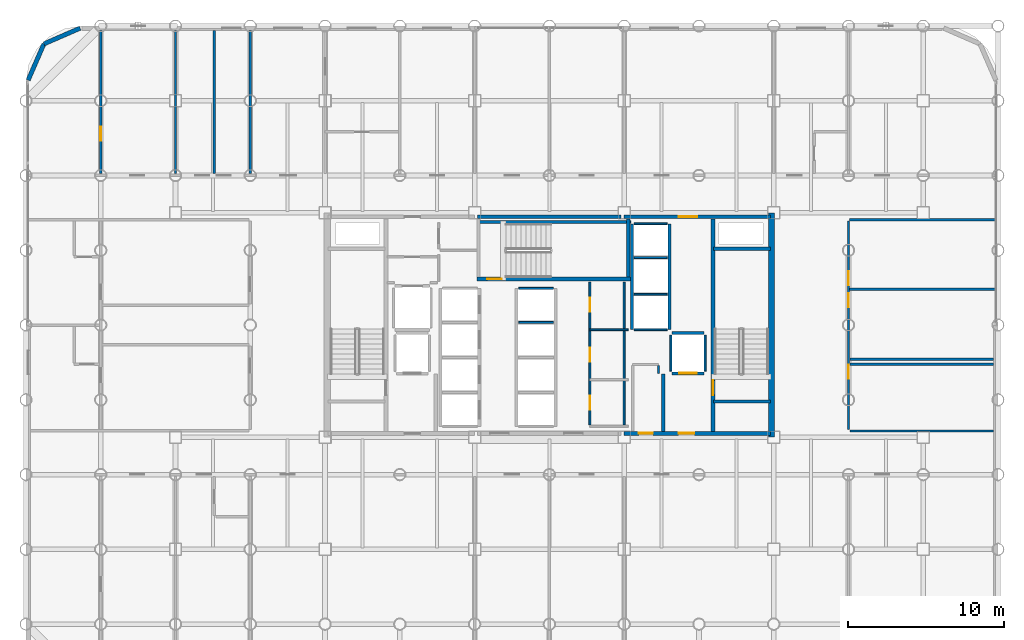
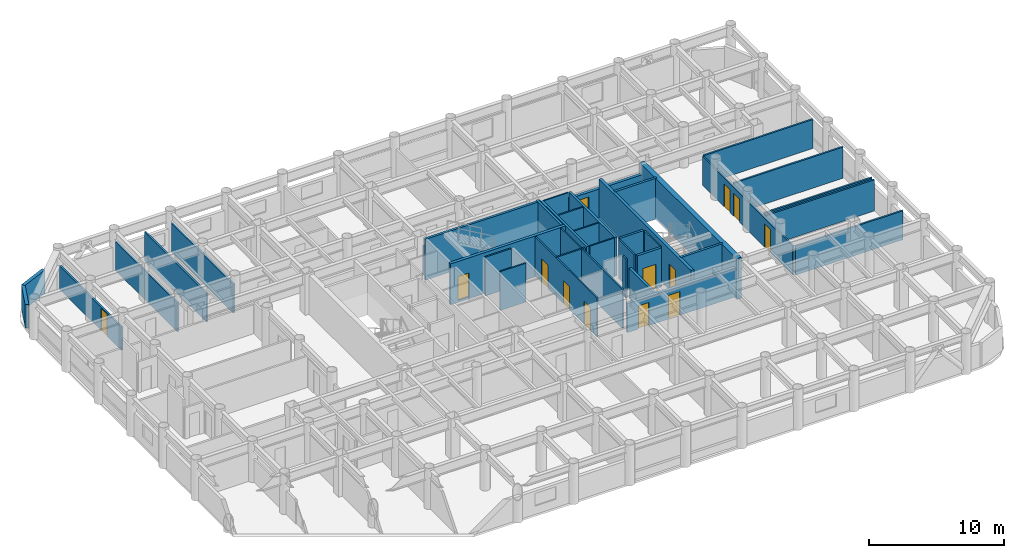
# One storey, part 18 of 21: 39 walls, 13 doors, 13 openings.
"""IFC4 building model written with IfcOpenShell, lengths in metres."""

import ifcopenshell
import ifcopenshell.guid

model = None  # the IFC model being written
_history = None  # IfcOwnerHistory: only IFC2X3 demands one
_inside = {}  # id of a spatial element -> (the spatial element, [elements in it])
_under = {}  # id of a project, library or spatial element -> (it, [spatial elements below it])
_declared = {}  # id of a project -> (the project, [libraries it declares])
_typed = {}  # id of a type object -> (the type object, [elements of that type])
_made_of = {}  # id of a material, layer set ... -> (it, [elements and type objects made of it])


def new_model(schema):
    """Start an empty IFC model of exactly this schema.

    Asked for "IFC4X3", IfcOpenShell would pick the latest addendum, in which some entities
    have other attributes; the version numbers below select the first issue.
    IFC2X3 requires an IfcOwnerHistory on every rooted entity: one is made here for all.
    """
    global model, _history
    if schema == "IFC4X3":
        model = ifcopenshell.file(schema_version=(4, 3, 0, 0))
    else:
        model = ifcopenshell.file(schema=schema)
    _inside.clear()
    _under.clear()
    _declared.clear()
    _typed.clear()
    _made_of.clear()
    _history = None
    if model.schema == "IFC2X3":
        org = make("IfcOrganization", Name="unknown")
        user = make(
            "IfcPersonAndOrganization",
            ThePerson=make("IfcPerson", FamilyName="unknown"),
            TheOrganization=org,
        )
        app = make(
            "IfcApplication",
            ApplicationDeveloper=org,
            Version="unknown",
            ApplicationFullName="unknown",
            ApplicationIdentifier="unknown",
        )
        _history = make(
            "IfcOwnerHistory",
            OwningUser=user,
            OwningApplication=app,
            ChangeAction="ADDED",
            CreationDate=0,
        )
    return model


def make(cls, **values):
    """One entity of the class cls with the attributes given. An attribute that is None is left unset."""
    return model.create_entity(
        cls, **{name: value for name, value in values.items() if value is not None}
    )


def rooted(cls, **values):
    """An entity with a GlobalId (a new one), such as an element, a storey or a relation."""
    return make(cls, GlobalId=ifcopenshell.guid.new(), OwnerHistory=_history, **values)


def si_unit(unit_type, name, prefix=None):
    """IfcSIUnit, for example si_unit("LENGTHUNIT", "METRE", prefix="MILLI")."""
    return make("IfcSIUnit", UnitType=unit_type, Prefix=prefix, Name=name)


def assignment(units):
    """IfcUnitAssignment: the units of a project."""
    return None if units is None else make("IfcUnitAssignment", Units=units)


def point(xyz):
    """IfcCartesianPoint."""
    return None if xyz is None else make("IfcCartesianPoint", Coordinates=xyz)


def direction(xyz):
    """IfcDirection."""
    return None if xyz is None else make("IfcDirection", DirectionRatios=xyz)


def frame(location, z_axis=None, x_axis=None):
    """IfcAxis2Placement3D, a coordinate frame: its origin and axes. An axis left out is left unset."""
    return make(
        "IfcAxis2Placement3D",
        Location=point(location),
        Axis=direction(z_axis),
        RefDirection=direction(x_axis),
    )


def frame_2d(location, x_axis=None):
    """IfcAxis2Placement2D, a coordinate frame in the plane: its origin and x axis."""
    return make(
        "IfcAxis2Placement2D", Location=point(location), RefDirection=direction(x_axis)
    )


def origin():
    """The frame at (0, 0, 0) with its axes left unset."""
    return frame((0.0, 0.0, 0.0))


def place(relative_to, where):
    """IfcLocalPlacement: puts the frame where relative to a parent placement (None: the world)."""
    return make(
        "IfcLocalPlacement", PlacementRelTo=relative_to, RelativePlacement=where
    )


def context(
    kind, dimensions, precision=None, world=None, true_north=None, identifier=None
):
    """IfcGeometricRepresentationContext, for example the 3D "Model" context."""
    return make(
        "IfcGeometricRepresentationContext",
        ContextIdentifier=identifier,
        ContextType=kind,
        CoordinateSpaceDimension=dimensions,
        Precision=precision,
        WorldCoordinateSystem=world,
        TrueNorth=true_north,
    )


def subcontext(parent, identifier, kind, view, scale=None):
    """IfcGeometricRepresentationSubContext, for example "Body" below "Model"."""
    return make(
        "IfcGeometricRepresentationSubContext",
        ContextIdentifier=identifier,
        ContextType=kind,
        ParentContext=parent,
        TargetScale=scale,
        TargetView=view,
    )


def project(units=None, contexts=None):
    """IfcProject with its units and contexts."""
    return rooted(
        "IfcProject",
        Name="project",
        RepresentationContexts=contexts,
        UnitsInContext=assignment(units),
    )


def spatial(cls, under=None, at=None, **own):
    """A site, building, storey or space (cls), placed at a placement, below another one or the project."""
    s = rooted(cls, ObjectPlacement=at, **own)
    if under is not None:
        _under.setdefault(under.id(), (under, []))[1].append(s)
    return s


def profile(cls, at=None, kind="AREA", **sizes):
    """A parametric profile (cls). Its sizes go by their IFC names, for example OverallWidth=200.0."""
    return make(cls, ProfileType=kind, Position=at, **sizes)


def rectangle(**sizes):
    """IfcRectangleProfileDef."""
    return profile("IfcRectangleProfileDef", **sizes)


def extrude(swept, where, along, depth):
    """IfcExtrudedAreaSolid: the profile swept, set in the frame where, extruded along a direction by depth."""
    return make(
        "IfcExtrudedAreaSolid",
        SweptArea=swept,
        Position=where,
        ExtrudedDirection=direction(along),
        Depth=depth,
    )


def shape(context_of_items, identifier, shape_type, items):
    """IfcShapeRepresentation: the items that make up one representation, for example the "Body"."""
    return make(
        "IfcShapeRepresentation",
        ContextOfItems=context_of_items,
        RepresentationIdentifier=identifier,
        RepresentationType=shape_type,
        Items=items,
    )


def material(Name=None, Category=None):
    """IfcMaterial."""
    return make("IfcMaterial", Name=Name, Category=Category)


def layer(
    of_material, thickness, ventilated=None, Name=None, Category=None, Priority=None
):
    """IfcMaterialLayer: one layer of a wall or slab, of a material (None: an air gap)."""
    return make(
        "IfcMaterialLayer",
        Material=of_material,
        LayerThickness=thickness,
        IsVentilated=ventilated,
        Name=Name,
        Category=Category,
        Priority=Priority,
    )


def layer_set(layers, Name=None):
    """IfcMaterialLayerSet."""
    return make("IfcMaterialLayerSet", MaterialLayers=layers, LayerSetName=Name)


def made_of(thing, what):
    """Note that an element or type object is made of a material, layer set ...; save() writes the relation."""
    if what is not None:
        _made_of.setdefault(what.id(), (what, []))[1].append(thing)
    return thing


def type_object(cls, material=None, **own):
    """A type object (cls), such as IfcWallType, which elements share."""
    return made_of(rooted(cls, **own), material)


def element(
    cls,
    number,
    at=None,
    inside=None,
    cuts=None,
    type_object=None,
    material=None,
    context=None,
    identifier="Body",
    shape_type=None,
    held_by="IfcProductDefinitionShape",
    body=None,
    shapes=None,
    **own,
):
    """One element of the class cls, such as IfcWall. Its Tag is "e" and its number.

    at: its placement. inside: the storey or other place that contains it. cuts: it is an
    opening in that element (IfcRelVoidsElement). A single representation is given by context,
    identifier, shape_type and body (its items); several are given by shapes. held_by: the class
    of the entity that holds the representations. save() writes the other relations.
    """
    e = rooted(cls, Tag="e%d" % number, ObjectPlacement=at, **own)
    if body is not None:
        shapes = [shape(context, identifier, shape_type, body)]
    if shapes is not None:
        e.Representation = make(held_by, Representations=shapes)
    if inside is not None:
        _inside.setdefault(inside.id(), (inside, []))[1].append(e)
    if cuts is not None:
        rooted(
            "IfcRelVoidsElement", RelatingBuildingElement=cuts, RelatedOpeningElement=e
        )
    if type_object is not None:
        _typed.setdefault(type_object.id(), (type_object, []))[1].append(e)
    return made_of(e, material)


def fill(opening, filler):
    """IfcRelFillsElement: the door or window that sits in an opening."""
    return rooted(
        "IfcRelFillsElement",
        RelatingOpeningElement=opening,
        RelatedBuildingElement=filler,
    )


def aggregate(whole, parts):
    """IfcRelAggregates: a whole, such as a stair, and the parts it consists of."""
    return rooted("IfcRelAggregates", RelatingObject=whole, RelatedObjects=parts)


def save(model, path):
    """Write the relations noted so far, then the file.

    IfcRelAggregates (storeys below a building ...), IfcRelContainedInSpatialStructure (elements
    in a storey), IfcRelDefinesByType, IfcRelAssociatesMaterial and IfcRelDeclares: one each for
    every whole, place, type object, material and project.
    """
    for whole, parts in _under.values():
        aggregate(whole, parts)
    for where, things in _inside.values():
        rooted(
            "IfcRelContainedInSpatialStructure",
            RelatedElements=things,
            RelatingStructure=where,
        )
    for kind, things in _typed.values():
        rooted("IfcRelDefinesByType", RelatedObjects=things, RelatingType=kind)
    for what, things in _made_of.values():
        rooted("IfcRelAssociatesMaterial", RelatedObjects=things, RelatingMaterial=what)
    for by, libraries in _declared.values():
        rooted("IfcRelDeclares", RelatingContext=by, RelatedDefinitions=libraries)
    model.write(path)


model = new_model("IFC4")

# Units and contexts
model_context = context("Model", 3, precision=1e-05, world=origin(), true_north=direction((0.0, 1.0)))
body_context = subcontext(model_context, "Body", "Model", "MODEL_VIEW")
ifc_project = project(units=[si_unit("LENGTHUNIT", "METRE"), si_unit("AREAUNIT", "SQUARE_METRE"), si_unit("VOLUMEUNIT", "CUBIC_METRE"), si_unit("PLANEANGLEUNIT", "RADIAN"), si_unit("MASSUNIT", "GRAM", prefix="KILO")], contexts=[model_context])

# Site, building, storey
site_placement = place(None, origin())
site = spatial("IfcSite", under=ifc_project, at=site_placement, CompositionType="ELEMENT")
building_placement = place(site_placement, origin())
building = spatial("IfcBuilding", under=site, at=building_placement, Name="Kallvorn Hotel Tower", CompositionType="ELEMENT")
storey_placement = place(building_placement, frame((0.0, 0.0, 52.199951171875)))
storey = spatial("IfcBuildingStorey", under=building, at=storey_placement, Name="L11", CompositionType="ELEMENT", Elevation=52.199951171875)

# Walls
ifc_material_1 = material(Name="Concrete C50/60", Category="concrete")
ifc_layer_1 = layer(ifc_material_1, 0.39990234375)
ifc_layer_set_1 = layer_set([ifc_layer_1], Name="WL_CORE_400")
wall_type_1 = type_object("IfcWallType", Name="WL_CORE_400", PredefinedType="SHEAR", material=ifc_layer_set_1)
wall_1_placement = place(storey_placement, frame((14.264892578125, -7.199951171875, -0.179931640625), z_axis=(0.0, 0.0, 1.0), x_axis=(0.0, 1.0, 0.0)))
element("IfcWall", 1, at=wall_1_placement, inside=storey, type_object=wall_type_1, Name="L11 Core East Shear Wall", PredefinedType="SHEAR", context=body_context, shape_type="SweptSolid", body=[
    extrude(rectangle(XDim=14.39990234375, YDim=0.39990234375, at=frame_2d((7.199951171875, 0.0))), origin(), (0.0, 0.0, 1.0), 3.699951171875),
])
ifc_material_2 = material(Name="Fire-rated double-layer acoustic gypsum drywall EI 60")
ifc_layer_2 = layer(ifc_material_2, 0.159912109375)
ifc_layer_set_2 = layer_set([ifc_layer_2], Name="WL_DEMISE_160")
wall_type_2 = type_object("IfcWallType", Name="WL_DEMISE_160", PredefinedType="PARTITIONING", material=ifc_layer_set_2)
wall_2_placement = place(storey_placement, frame((-19.199951171875, 9.719970703125, 0.0), z_axis=(0.0, 0.0, 1.0), x_axis=(0.0, 1.0, 0.0)))
element("IfcWall", 2, at=wall_2_placement, inside=storey, type_object=wall_type_2, Name="L11 Suite 1104 Junior Living Salon Partition", PredefinedType="PARTITIONING", context=body_context, shape_type="SweptSolid", body=[
    extrude(rectangle(XDim=9.18994140625, YDim=0.159912109375, at=frame_2d((4.594970703125, 0.0))), origin(), (0.0, 0.0, 1.0), 2.6201171875),
])
ifc_material_3 = material(Name="Precast basalt-clad insulated concrete wall C40/50", Category="masonry")
ifc_layer_3 = layer(ifc_material_3, 0.280029296875)
ifc_layer_set_3 = layer_set([ifc_layer_3], Name="WL_EXT_LOGGIA_280")
wall_type_3 = type_object("IfcWallType", Name="WL_EXT_LOGGIA_280", PredefinedType="SOLIDWALL", material=ifc_layer_set_3)
wall_3_placement = place(storey_placement, frame((-30.120849609375, 19.057861328125, 0.0), z_axis=(0.0, 0.0, 1.0), x_axis=(-0.917060872934, -0.398747232384, 0.0)))
element("IfcWall", 3, at=wall_3_placement, inside=storey, type_object=wall_type_3, Name="L11 Rounded Corner Exterior Wall NW1", PredefinedType="SOLIDWALL", context=body_context, shape_type="SweptSolid", body=[
    extrude(rectangle(XDim=2.5361328125, YDim=0.280029296875, at=frame_2d((1.26806640625, 0.0))), origin(), (0.0, 0.0, 1.0), 2.1201171875),
])
wall_4_placement = place(storey_placement, frame((-32.446533203125, 18.046630859375, 0.0), z_axis=(0.0, 0.0, 1.0), x_axis=(-0.398792985289, -0.917040977756, 0.0)))
element("IfcWall", 4, at=wall_4_placement, inside=storey, type_object=wall_type_3, Name="L11 Rounded Corner Exterior Wall NW2", PredefinedType="SOLIDWALL", context=body_context, shape_type="SweptSolid", body=[
    extrude(rectangle(XDim=2.536376953125, YDim=0.280029296875, at=frame_2d((1.26806640625, 0.0))), origin(), (0.0, 0.0, 1.0), 2.1201171875),
])
ifc_material_4 = material(Name="Concrete C40/50", Category="concrete")
ifc_layer_4 = layer(ifc_material_4, 0.219970703125)
ifc_layer_set_4 = layer_set([ifc_layer_4], Name="WL_FFL_220")
wall_type_4 = type_object("IfcWallType", Name="WL_FFL_220", PredefinedType="SOLIDWALL", material=ifc_layer_set_4)
wall_5_placement = place(storey_placement, frame((7.300048828125, -6.820068359375, 0.0), z_axis=(0.0, 0.0, 1.0), x_axis=(0.0, 1.0, 0.0)))
element("IfcWall", 5, at=wall_5_placement, inside=storey, type_object=wall_type_4, Name="L11 Firefighting Lobby East Divider Wall", PredefinedType="SOLIDWALL", context=body_context, shape_type="SweptSolid", body=[
    extrude(rectangle(XDim=3.670166015625, YDim=0.219970703125, at=frame_2d((1.8349609375, 0.0))), origin(), (0.0, 0.0, 1.0), 2.6201171875),
])
ifc_material_5 = material(Name="Concrete C40/50", Category="concrete")
ifc_layer_5 = layer(ifc_material_5, 0.199951171875)
ifc_layer_set_5 = layer_set([ifc_layer_5], Name="WL_HOIST_200")
wall_type_5 = type_object("IfcWallType", Name="WL_HOIST_200", PredefinedType="SOLIDWALL", material=ifc_layer_set_5)
for number, where, z_axis, x_axis, name in (
    (6, (10.550048828125, -4.89990234375, -0.179931640625), (0.0, 0.0, 1.0), (1.0, 0.0, 0.0), "L11 Stair ST2 South Wall"),
    (7, (10.550048828125, 4.89990234375, -0.179931640625), (0.0, 0.0, 1.0), (1.0, 0.0, 0.0), "L11 Stair ST2 North Wall"),
):
    element("IfcWall", number, at=place(storey_placement, frame(where, z_axis=z_axis, x_axis=x_axis)), inside=storey, type_object=wall_type_5, Name=name, PredefinedType="SOLIDWALL", context=body_context, shape_type="SweptSolid", body=[
        extrude(rectangle(XDim=3.64990234375, YDim=0.199951171875, at=frame_2d((1.824951171875, 0.0))), origin(), (0.0, 0.0, 1.0), 3.699951171875),
    ])
wall_6_placement = place(storey_placement, frame((-4.64990234375, 6.610107421875, -0.179931640625), z_axis=(0.0, 0.0, 1.0), x_axis=(1.0, 0.0, 0.0)))
element("IfcWall", 8, at=wall_6_placement, inside=storey, type_object=wall_type_5, Name="L11 Stair ST3 Shaft North Wall", PredefinedType="SOLIDWALL", context=body_context, shape_type="SweptSolid", body=[
    extrude(rectangle(XDim=9.89990234375, YDim=0.199951171875, at=frame_2d((4.949951171875, 0.0))), origin(), (0.0, 0.0, 1.0), 3.699951171875),
])
wall_7_placement = place(storey_placement, frame((5.06005859375, 3.080078125, -0.179931640625), z_axis=(0.0, 0.0, 1.0), x_axis=(0.0, 1.0, 0.0)))
element("IfcWall", 9, at=wall_7_placement, inside=storey, type_object=wall_type_5, Name="L11 Stair ST3 East Wall", PredefinedType="SOLIDWALL", context=body_context, shape_type="SweptSolid", body=[
    extrude(rectangle(XDim=3.739990234375, YDim=0.199951171875, at=frame_2d((1.8701171875, 0.0))), origin(), (0.0, 0.0, 1.0), 3.699951171875),
])
for number, where, z_axis, x_axis, name in (
    (10, (7.699951171875, -0.300048828125, 0.0), (0.0, 0.0, 1.0), (0.0, 1.0, 0.0), "L11 Lift Bank OBS Landing Wall"),
    (11, (5.300048828125, -0.300048828125, 0.0), (0.0, 0.0, 1.0), (0.0, 1.0, 0.0), "L11 Lift Bank OBS Rear Shaft Wall"),
):
    element("IfcWall", number, at=place(storey_placement, frame(where, z_axis=z_axis, x_axis=x_axis)), inside=storey, type_object=wall_type_5, Name=name, PredefinedType="SOLIDWALL", context=body_context, shape_type="SweptSolid", body=[
        extrude(rectangle(XDim=6.800048828125, YDim=0.199951171875, at=frame_2d((3.39990234375, 0.0))), origin(), (0.0, 0.0, 1.0), 3.52001953125),
    ])

# Wall, opening, door
wall_8_placement = place(storey_placement, frame((7.8798828125, -3.10009765625, 0.0), z_axis=(0.0, 0.0, 1.0), x_axis=(1.0, 0.0, 0.0)))
wall_8 = element("IfcWall", 12, at=wall_8_placement, inside=storey, type_object=wall_type_5, Name="L11 FL-2 Landing Wall", PredefinedType="SOLIDWALL", context=body_context, shape_type="SweptSolid", body=[
    extrude(rectangle(XDim=2.0400390625, YDim=0.199951171875, at=frame_2d((1.02001953125, 0.0))), origin(), (0.0, 0.0, 1.0), 3.52001953125),
])
opening_1_placement = place(wall_8_placement, frame((0.469970703125, 0.0, 0.0)))
opening_1 = element("IfcOpeningElement", 13, at=opening_1_placement, cuts=wall_8, Name="Opening LD-FL-2", PredefinedType="OPENING", context=body_context, shape_type="SweptSolid", body=[
    extrude(rectangle(XDim=1.10009765625, YDim=2.199951171875, at=frame_2d((0.550048828125, 1.10009765625))), frame((0.0, 0.114990234375, 0.0), z_axis=(0.0, -1.0, 0.0), x_axis=(1.0, 0.0, 0.0)), (0.0, 0.0, 1.0), 0.22998046875),
])
ifc_material_6 = material(Name="Brushed stainless-steel automatic sliding lift landing door", Category="steel")
door_type_1 = type_object("IfcDoorType", Name="LD_PASS_1100x2200", OperationType="SLIDING_TO_LEFT", PredefinedType="DOOR", material=ifc_material_6)
door_1_placement = place(opening_1_placement, origin())
door_1 = element("IfcDoor", 14, at=door_1_placement, inside=storey, type_object=door_type_1, Name="L11 Lift Landing Sliding Door LD-FL-2", OperationType="SLIDING_TO_LEFT", OverallHeight=2.199951171875, OverallWidth=1.10009765625, PredefinedType="DOOR", context=body_context, shape_type="SweptSolid", body=[
    extrude(rectangle(XDim=1.10009765625, YDim=2.199951171875, at=frame_2d((0.550048828125, 1.10009765625))), frame((0.0, 0.02490234375, 0.0), z_axis=(0.0, -1.0, 0.0), x_axis=(1.0, 0.0, 0.0)), (0.0, 0.0, 1.0), 0.050048828125),
])
fill(opening_1, door_1)

# Walls
wall_9_placement = place(storey_placement, frame((7.8798828125, -0.5, 0.0), z_axis=(0.0, 0.0, 1.0), x_axis=(1.0, 0.0, 0.0)))
element("IfcWall", 15, at=wall_9_placement, inside=storey, type_object=wall_type_5, Name="L11 FL-2 Rear Shaft Wall", PredefinedType="SOLIDWALL", context=body_context, shape_type="SweptSolid", body=[
    extrude(rectangle(XDim=2.0400390625, YDim=0.199951171875, at=frame_2d((1.02001953125, 0.0))), origin(), (0.0, 0.0, 1.0), 3.52001953125),
])
ifc_material_7 = material(Name="Fire-rated double-layer acoustic gypsum drywall EI 60")
ifc_layer_6 = layer(ifc_material_7, 0.1201171875)
ifc_layer_set_6 = layer_set([ifc_layer_6], Name="WL_INT_120")
wall_type_6 = type_object("IfcWallType", Name="WL_INT_120", PredefinedType="PARTITIONING", material=ifc_layer_set_6)
for number, where, z_axis, x_axis, name in (
    (16, (-1.9599609375, 0.175048828125, 0.0), (0.0, 0.0, 1.0), (1.0, 0.0, 0.0), "L11 PL-07 Hoistway Divider"),
    (17, (-1.9599609375, 2.35009765625, 0.0), (0.0, 0.0, 1.0), (1.0, 0.0, 0.0), "L11 PL-08 Hoistway Divider"),
):
    element("IfcWall", number, at=place(storey_placement, frame(where, z_axis=z_axis, x_axis=x_axis)), inside=storey, type_object=wall_type_6, Name=name, PredefinedType="PARTITIONING", context=body_context, shape_type="SweptSolid", body=[
        extrude(rectangle(XDim=2.219970703125, YDim=0.1201171875, at=frame_2d((1.10986328125, 0.0))), origin(), (0.0, 0.0, 1.0), 3.52001953125),
    ])
for number, where, z_axis, x_axis, name in (
    (18, (5.43994140625, -0.300048828125, 0.0), (0.0, 0.0, 1.0), (1.0, 0.0, 0.0), "L11 Lift Bank OBS South Closure Wall"),
    (19, (5.43994140625, 1.97509765625, 0.0), (0.0, 0.0, 1.0), (1.0, 0.0, 0.0), "L11 OB-01 Hoistway Divider"),
    (20, (5.43994140625, 4.324951171875, 0.0), (0.0, 0.0, 1.0), (1.0, 0.0, 0.0), "L11 OB-02 Hoistway Divider"),
    (21, (5.43994140625, 6.5, 0.0), (0.0, 0.0, 1.0), (1.0, 0.0, 0.0), "L11 OB-03 Hoistway Divider"),
):
    element("IfcWall", number, at=place(storey_placement, frame(where, z_axis=z_axis, x_axis=x_axis)), inside=storey, type_object=wall_type_6, Name=name, PredefinedType="PARTITIONING", context=body_context, shape_type="SweptSolid", body=[
        extrude(rectangle(XDim=2.1201171875, YDim=0.1201171875, at=frame_2d((1.06005859375, 0.0))), origin(), (0.0, 0.0, 1.0), 3.52001953125),
    ])
for number, where, z_axis, x_axis, name in (
    (22, (7.800048828125, -2.9599609375, 0.0), (0.0, 0.0, 1.0), (0.0, 1.0, 0.0), "L11 FL-2 West Shaft Wall"),
    (23, (10.0, -2.9599609375, 0.0), (0.0, 0.0, 1.0), (0.0, 1.0, 0.0), "L11 FL-2 East Shaft Wall"),
):
    element("IfcWall", number, at=place(storey_placement, frame(where, z_axis=z_axis, x_axis=x_axis)), inside=storey, type_object=wall_type_6, Name=name, PredefinedType="PARTITIONING", context=body_context, shape_type="SweptSolid", body=[
        extrude(rectangle(XDim=2.320068359375, YDim=0.1201171875, at=frame_2d((1.16015625, 0.0))), origin(), (0.0, 0.0, 1.0), 3.52001953125),
    ])
wall_10_placement = place(storey_placement, frame((2.60009765625, -0.300048828125, 0.0), z_axis=(0.0, 0.0, 1.0), x_axis=(1.0, 0.0, 0.0)))
element("IfcWall", 24, at=wall_10_placement, inside=storey, type_object=wall_type_6, Name="L11 East Core Cleaners Room Partition", PredefinedType="PARTITIONING", context=body_context, shape_type="SweptSolid", body=[
    extrude(rectangle(XDim=2.449951171875, YDim=0.1201171875, at=frame_2d((1.22509765625, 0.0))), origin(), (0.0, 0.0, 1.0), 3.52001953125),
])

# Wall, openings, doors
wall_11_placement = place(storey_placement, frame((2.60009765625, -6.4150390625, 0.0), z_axis=(0.0, 0.0, 1.0), x_axis=(0.0, 1.0, 0.0)))
wall_11 = element("IfcWall", 25, at=wall_11_placement, inside=storey, type_object=wall_type_6, Name="L11 East Core Minibar Store Partition", PredefinedType="PARTITIONING", context=body_context, shape_type="SweptSolid", body=[
    extrude(rectangle(XDim=9.1650390625, YDim=0.1201171875, at=frame_2d((4.58251953125, 0.0))), origin(), (0.0, 0.0, 1.0), 3.52001953125),
])
opening_2_placement = place(wall_11_placement, frame((0.965087890625, 0.0, 0.0)))
opening_2 = element("IfcOpeningElement", 26, at=opening_2_placement, cuts=wall_11, Name="Opening SVD1", PredefinedType="OPENING", context=body_context, shape_type="SweptSolid", body=[
    extrude(rectangle(XDim=0.89990234375, YDim=2.10009765625, at=frame_2d((0.449951171875, 1.050048828125))), frame((0.0, 0.074951171875, 0.0), z_axis=(0.0, -1.0, 0.0), x_axis=(1.0, 0.0, 0.0)), (0.0, 0.0, 1.0), 0.150146484375),
])
opening_3_placement = place(wall_11_placement, frame((4.06494140625, 0.0, 0.0)))
opening_3 = element("IfcOpeningElement", 27, at=opening_3_placement, cuts=wall_11, Name="Opening SVD1", PredefinedType="OPENING", context=body_context, shape_type="SweptSolid", body=[
    extrude(rectangle(XDim=0.89990234375, YDim=2.10009765625, at=frame_2d((0.449951171875, 1.050048828125))), frame((0.0, 0.074951171875, 0.0), z_axis=(0.0, -1.0, 0.0), x_axis=(1.0, 0.0, 0.0)), (0.0, 0.0, 1.0), 0.150146484375),
])
opening_4_placement = place(wall_11_placement, frame((7.264892578125, 0.0, 0.0)))
opening_4 = element("IfcOpeningElement", 28, at=opening_4_placement, cuts=wall_11, Name="Opening SVD1", PredefinedType="OPENING", context=body_context, shape_type="SweptSolid", body=[
    extrude(rectangle(XDim=0.89990234375, YDim=2.10009765625, at=frame_2d((0.449951171875, 1.050048828125))), frame((0.0, 0.074951171875, 0.0), z_axis=(0.0, -1.0, 0.0), x_axis=(1.0, 0.0, 0.0)), (0.0, 0.0, 1.0), 0.150146484375),
])
ifc_material_8 = material(Name="Galvanised painted steel fire-rated door assembly", Category="steel")
door_type_2 = type_object("IfcDoorType", Name="DR_SERV_900x2100", OperationType="NOTDEFINED", PredefinedType="DOOR", material=ifc_material_8)
door_2_placement = place(opening_2_placement, origin())
door_2 = element("IfcDoor", 29, at=door_2_placement, inside=storey, type_object=door_type_2, Name="L11 East Core Minibar Store Door", OperationType="SINGLE_SWING_LEFT", OverallHeight=2.10009765625, OverallWidth=0.89990234375, PredefinedType="DOOR", context=body_context, shape_type="SweptSolid", body=[
    extrude(rectangle(XDim=0.89990234375, YDim=2.10009765625, at=frame_2d((0.449951171875, 1.050048828125))), frame((0.0, 0.02490234375, 0.0), z_axis=(0.0, -1.0, 0.0), x_axis=(1.0, 0.0, 0.0)), (0.0, 0.0, 1.0), 0.050048828125),
])
fill(opening_2, door_2)
door_3_placement = place(opening_3_placement, origin())
door_3 = element("IfcDoor", 30, at=door_3_placement, inside=storey, type_object=door_type_2, Name="L11 East Core Housekeeping Supply Closet Door", OperationType="SINGLE_SWING_RIGHT", OverallHeight=2.10009765625, OverallWidth=0.89990234375, PredefinedType="DOOR", context=body_context, shape_type="SweptSolid", body=[
    extrude(rectangle(XDim=0.89990234375, YDim=2.10009765625, at=frame_2d((0.449951171875, 1.050048828125))), frame((0.0, 0.02490234375, 0.0), z_axis=(0.0, -1.0, 0.0), x_axis=(1.0, 0.0, 0.0)), (0.0, 0.0, 1.0), 0.050048828125),
])
fill(opening_3, door_3)
door_4_placement = place(opening_4_placement, origin())
door_4 = element("IfcDoor", 31, at=door_4_placement, inside=storey, type_object=door_type_2, Name="L11 East Core Cleaners Room Door", OperationType="SINGLE_SWING_LEFT", OverallHeight=2.10009765625, OverallWidth=0.89990234375, PredefinedType="DOOR", context=body_context, shape_type="SweptSolid", body=[
    extrude(rectangle(XDim=0.89990234375, YDim=2.10009765625, at=frame_2d((0.449951171875, 1.050048828125))), frame((0.0, 0.02490234375, 0.0), z_axis=(0.0, -1.0, 0.0), x_axis=(1.0, 0.0, 0.0)), (0.0, 0.0, 1.0), 0.050048828125),
])
fill(opening_4, door_4)

# Walls
wall_12_placement = place(storey_placement, frame((4.800048828125, -6.4150390625, 0.0), z_axis=(0.0, 0.0, 1.0), x_axis=(0.0, 1.0, 0.0)))
element("IfcWall", 32, at=wall_12_placement, inside=storey, type_object=wall_type_6, Name="L11 East Core Minibar Store Partition", PredefinedType="PARTITIONING", context=body_context, shape_type="SweptSolid", body=[
    extrude(rectangle(XDim=9.1650390625, YDim=0.1201171875, at=frame_2d((4.58251953125, 0.0))), origin(), (0.0, 0.0, 1.0), 3.52001953125),
])
ifc_material_9 = material(Name="Fire-rated double-layer acoustic gypsum drywall EI 60")
ifc_layer_7 = layer(ifc_material_9, 0.14990234375)
ifc_layer_set_7 = layer_set([ifc_layer_7], Name="WL_PART_150")
wall_type_7 = type_object("IfcWallType", Name="WL_PART_150", PredefinedType="PARTITIONING", material=ifc_layer_set_7)
wall_13_placement = place(storey_placement, frame((19.280029296875, -6.800048828125, 0.0), z_axis=(0.0, 0.0, 1.0), x_axis=(1.0, 0.0, 0.0)))
element("IfcWall", 33, at=wall_13_placement, inside=storey, type_object=wall_type_7, Name="L11 L11 E South Tasting Bar Partition", PredefinedType="PARTITIONING", context=body_context, shape_type="SweptSolid", body=[
    extrude(rectangle(XDim=9.22998046875, YDim=0.14990234375, at=frame_2d((4.614990234375, 0.0))), origin(), (0.0, 0.0, 1.0), 2.6201171875),
])
for number, where, z_axis, x_axis, name in (
    (34, (19.280029296875, -2.52490234375, 0.0), (0.0, 0.0, 1.0), (1.0, 0.0, 0.0), "L11 L11 E South Tasting Bar Partition"),
    (35, (19.280029296875, -2.199951171875, 0.0), (0.0, 0.0, 1.0), (1.0, 0.0, 0.0), "L11 L11 E Central Reading Gallery Partition"),
):
    element("IfcWall", number, at=place(storey_placement, frame(where, z_axis=z_axis, x_axis=x_axis)), inside=storey, type_object=wall_type_7, Name=name, PredefinedType="PARTITIONING", context=body_context, shape_type="SweptSolid", body=[
        extrude(rectangle(XDim=9.22998046875, YDim=0.14990234375, at=frame_2d((4.614990234375, 0.0))), origin(), (0.0, 0.0, 1.0), 2.820068359375),
    ])
wall_14_placement = place(storey_placement, frame((19.280029296875, 2.300048828125, 0.0), z_axis=(0.0, 0.0, 1.0), x_axis=(1.0, 0.0, 0.0)))
element("IfcWall", 36, at=wall_14_placement, inside=storey, type_object=wall_type_7, Name="L11 L11 E Central Reading Gallery Partition", PredefinedType="PARTITIONING", context=body_context, shape_type="SweptSolid", body=[
    extrude(rectangle(XDim=9.349853515625, YDim=0.14990234375, at=frame_2d((4.6748046875, 0.0))), origin(), (0.0, 0.0, 1.0), 2.820068359375),
])
wall_15_placement = place(storey_placement, frame((19.280029296875, 6.75, 0.0), z_axis=(0.0, 0.0, 1.0), x_axis=(1.0, 0.0, 0.0)))
element("IfcWall", 37, at=wall_15_placement, inside=storey, type_object=wall_type_7, Name="L11 L11 E North Movement Gymnasium Partition", PredefinedType="PARTITIONING", context=body_context, shape_type="SweptSolid", body=[
    extrude(rectangle(XDim=9.349853515625, YDim=0.14990234375, at=frame_2d((4.6748046875, 0.0))), origin(), (0.0, 0.0, 1.0), 2.6201171875),
])

# Wall, opening, door
wall_16_placement = place(storey_placement, frame((-28.800048828125, 9.719970703125, 0.0), z_axis=(0.0, 0.0, 1.0), x_axis=(0.0, 1.0, 0.0)))
wall_16 = element("IfcWall", 38, at=wall_16_placement, inside=storey, type_object=wall_type_7, Name="L11 L11 North-West Fitness Gymnasium A Partition", PredefinedType="PARTITIONING", context=body_context, shape_type="SweptSolid", body=[
    extrude(rectangle(XDim=9.18994140625, YDim=0.14990234375, at=frame_2d((4.594970703125, 0.0))), origin(), (0.0, 0.0, 1.0), 2.1201171875),
])
opening_5_placement = place(wall_16_placement, frame((2.10791015625, 0.0, 0.0)))
opening_5 = element("IfcOpeningElement", 39, at=opening_5_placement, cuts=wall_16, Name="Opening SVD1A", PredefinedType="OPENING", context=body_context, shape_type="SweptSolid", body=[
    extrude(rectangle(XDim=0.89990234375, YDim=2.02001953125, at=frame_2d((0.449951171875, 1.010009765625))), frame((0.0, 0.08984375, 0.0), z_axis=(0.0, -1.0, 0.0), x_axis=(1.0, 0.0, 0.0)), (0.0, 0.0, 1.0), 0.179931640625),
])
ifc_material_10 = material(Name="Galvanised painted steel fire-rated door assembly", Category="steel")
door_type_3 = type_object("IfcDoorType", Name="DR_SERV_900x2020", OperationType="NOTDEFINED", PredefinedType="DOOR", material=ifc_material_10)
door_5_placement = place(opening_5_placement, origin())
door_5 = element("IfcDoor", 40, at=door_5_placement, inside=storey, type_object=door_type_3, Name="L11 L11 North-West Fitness Gymnasium A Door", OperationType="SINGLE_SWING_RIGHT", OverallHeight=2.02001953125, OverallWidth=0.89990234375, PredefinedType="DOOR", context=body_context, shape_type="SweptSolid", body=[
    extrude(rectangle(XDim=0.89990234375, YDim=2.02001953125, at=frame_2d((0.449951171875, 1.010009765625))), frame((0.0, 0.02490234375, 0.0), z_axis=(0.0, -1.0, 0.0), x_axis=(1.0, 0.0, 0.0)), (0.0, 0.0, 1.0), 0.050048828125),
])
fill(opening_5, door_5)

# Walls
for number, where, z_axis, x_axis, name in (
    (41, (-24.0, 9.719970703125, 0.0), (0.0, 0.0, 1.0), (0.0, 1.0, 0.0), "L11 Housekeeping and Linen Room Partition"),
    (42, (-21.5048828125, 9.719970703125, 0.0), (0.0, 0.0, 1.0), (0.0, 1.0, 0.0), "L11 Guest Tea and Refreshment Bar Partition"),
):
    element("IfcWall", number, at=place(storey_placement, frame(where, z_axis=z_axis, x_axis=x_axis)), inside=storey, type_object=wall_type_7, Name=name, PredefinedType="PARTITIONING", context=body_context, shape_type="SweptSolid", body=[
        extrude(rectangle(XDim=9.18994140625, YDim=0.14990234375, at=frame_2d((4.594970703125, 0.0))), origin(), (0.0, 0.0, 1.0), 2.6201171875),
    ])

# Wall, openings, doors
wall_17_placement = place(storey_placement, frame((19.199951171875, -6.715087890625, 0.0), z_axis=(0.0, 0.0, 1.0), x_axis=(0.0, 1.0, 0.0)))
wall_17 = element("IfcWall", 43, at=wall_17_placement, inside=storey, type_object=wall_type_7, Name="L11 L11 E South Tasting Bar Partition", PredefinedType="PARTITIONING", context=body_context, shape_type="SweptSolid", body=[
    extrude(rectangle(XDim=13.380126953125, YDim=0.14990234375, at=frame_2d((6.68994140625, 0.0))), origin(), (0.0, 0.0, 1.0), 2.6201171875),
])
opening_6_placement = place(wall_17_placement, frame((3.2548828125, 0.0, 0.0)))
opening_6 = element("IfcOpeningElement", 44, at=opening_6_placement, cuts=wall_17, Name="Opening SVD1", PredefinedType="OPENING", context=body_context, shape_type="SweptSolid", body=[
    extrude(rectangle(XDim=0.89990234375, YDim=2.10009765625, at=frame_2d((0.449951171875, 1.050048828125))), frame((0.0, 0.08984375, 0.0), z_axis=(0.0, -1.0, 0.0), x_axis=(1.0, 0.0, 0.0)), (0.0, 0.0, 1.0), 0.179931640625),
])
opening_7_placement = place(wall_17_placement, frame((7.85498046875, 0.0, 0.0)))
opening_7 = element("IfcOpeningElement", 45, at=opening_7_placement, cuts=wall_17, Name="Opening SVD1", PredefinedType="OPENING", context=body_context, shape_type="SweptSolid", body=[
    extrude(rectangle(XDim=0.89990234375, YDim=2.10009765625, at=frame_2d((0.449951171875, 1.050048828125))), frame((0.0, 0.08984375, 0.0), z_axis=(0.0, -1.0, 0.0), x_axis=(1.0, 0.0, 0.0)), (0.0, 0.0, 1.0), 0.179931640625),
])
opening_8_placement = place(wall_17_placement, frame((9.27490234375, 0.0, 0.0)))
opening_8 = element("IfcOpeningElement", 46, at=opening_8_placement, cuts=wall_17, Name="Opening SVD1", PredefinedType="OPENING", context=body_context, shape_type="SweptSolid", body=[
    extrude(rectangle(XDim=0.89990234375, YDim=2.10009765625, at=frame_2d((0.449951171875, 1.050048828125))), frame((0.0, 0.08984375, 0.0), z_axis=(0.0, -1.0, 0.0), x_axis=(1.0, 0.0, 0.0)), (0.0, 0.0, 1.0), 0.179931640625),
])
door_6_placement = place(opening_6_placement, origin())
door_6 = element("IfcDoor", 47, at=door_6_placement, inside=storey, type_object=door_type_2, Name="L11 L11 E South Tasting Bar Door", OperationType="SINGLE_SWING_RIGHT", OverallHeight=2.10009765625, OverallWidth=0.89990234375, PredefinedType="DOOR", context=body_context, shape_type="SweptSolid", body=[
    extrude(rectangle(XDim=0.89990234375, YDim=2.10009765625, at=frame_2d((0.449951171875, 1.050048828125))), frame((0.0, 0.02490234375, 0.0), z_axis=(0.0, -1.0, 0.0), x_axis=(1.0, 0.0, 0.0)), (0.0, 0.0, 1.0), 0.050048828125),
])
fill(opening_6, door_6)
door_7_placement = place(opening_7_placement, origin())
door_7 = element("IfcDoor", 48, at=door_7_placement, inside=storey, type_object=door_type_2, Name="L11 L11 E Central Reading Gallery Door", OperationType="SINGLE_SWING_LEFT", OverallHeight=2.10009765625, OverallWidth=0.89990234375, PredefinedType="DOOR", context=body_context, shape_type="SweptSolid", body=[
    extrude(rectangle(XDim=0.89990234375, YDim=2.10009765625, at=frame_2d((0.449951171875, 1.050048828125))), frame((0.0, 0.02490234375, 0.0), z_axis=(0.0, -1.0, 0.0), x_axis=(1.0, 0.0, 0.0)), (0.0, 0.0, 1.0), 0.050048828125),
])
fill(opening_7, door_7)
door_8_placement = place(opening_8_placement, origin())
door_8 = element("IfcDoor", 49, at=door_8_placement, inside=storey, type_object=door_type_2, Name="L11 L11 E North Movement Gymnasium Door", OperationType="SINGLE_SWING_RIGHT", OverallHeight=2.10009765625, OverallWidth=0.89990234375, PredefinedType="DOOR", context=body_context, shape_type="SweptSolid", body=[
    extrude(rectangle(XDim=0.89990234375, YDim=2.10009765625, at=frame_2d((0.449951171875, 1.050048828125))), frame((0.0, 0.02490234375, 0.0), z_axis=(0.0, -1.0, 0.0), x_axis=(1.0, 0.0, 0.0)), (0.0, 0.0, 1.0), 0.050048828125),
])
fill(opening_8, door_8)

# Wall
ifc_material_11 = material(Name="Moisture-resistant acoustic plumbing chase wall EI 60")
ifc_layer_8 = layer(ifc_material_11, 0.139892578125)
ifc_layer_set_8 = layer_set([ifc_layer_8], Name="WL_PLUMB_140")
wall_type_8 = type_object("IfcWallType", Name="WL_PLUMB_140", PredefinedType="PLUMBINGWALL", material=ifc_layer_set_8)
wall_18_placement = place(storey_placement, frame((7.0, -3.110107421875, 0.0), z_axis=(0.0, 0.0, 1.0), x_axis=(0.0, 1.0, 0.0)))
element("IfcWall", 50, at=wall_18_placement, inside=storey, type_object=wall_type_8, Name="L11 Core Accessible Staff WC Partition", PredefinedType="PLUMBINGWALL", context=body_context, shape_type="SweptSolid", body=[
    extrude(rectangle(XDim=0.5, YDim=0.139892578125, at=frame_2d((0.25, 0.0))), origin(), (0.0, 0.0, 1.0), 3.52001953125),
])

# Wall, openings, doors
ifc_material_12 = material(Name="Concrete C40/50", Category="concrete")
ifc_layer_9 = layer(ifc_material_12, 0.25)
ifc_layer_set_9 = layer_set([ifc_layer_9], Name="WL_SHAFT_250")
wall_type_9 = type_object("IfcWallType", Name="WL_SHAFT_250", PredefinedType="SOLIDWALL", material=ifc_layer_set_9)
wall_19_placement = place(storey_placement, frame((4.800048828125, -6.949951171875, 0.0), z_axis=(0.0, 0.0, 1.0), x_axis=(1.0, 0.0, 0.0)))
wall_19 = element("IfcWall", 51, at=wall_19_placement, inside=storey, type_object=wall_type_9, Name="L11 Core South-East Wall", PredefinedType="SOLIDWALL", context=body_context, shape_type="SweptSolid", body=[
    extrude(rectangle(XDim=9.39990234375, YDim=0.25, at=frame_2d((4.699951171875, 0.0))), origin(), (0.0, 0.0, 1.0), 2.6201171875),
])
opening_9_placement = place(wall_19_placement, frame((3.5, 0.0, 0.0)))
opening_9 = element("IfcOpeningElement", 52, at=opening_9_placement, cuts=wall_19, Name="Opening FD1", PredefinedType="OPENING", context=body_context, shape_type="SweptSolid", body=[
    extrude(rectangle(XDim=1.0, YDim=2.14990234375, at=frame_2d((0.5, 1.074951171875))), frame((0.0, 0.139892578125, 0.0), z_axis=(0.0, -1.0, 0.0), x_axis=(1.0, 0.0, 0.0)), (0.0, 0.0, 1.0), 0.280029296875),
])
opening_10_placement = place(wall_19_placement, frame((0.949951171875, 0.0, 0.0)))
opening_10 = element("IfcOpeningElement", 53, at=opening_10_placement, cuts=wall_19, Name="Opening SVD1", PredefinedType="OPENING", context=body_context, shape_type="SweptSolid", body=[
    extrude(rectangle(XDim=0.89990234375, YDim=2.10009765625, at=frame_2d((0.449951171875, 1.050048828125))), frame((0.0, 0.139892578125, 0.0), z_axis=(0.0, -1.0, 0.0), x_axis=(1.0, 0.0, 0.0)), (0.0, 0.0, 1.0), 0.280029296875),
])
ifc_material_13 = material(Name="Galvanised painted steel fire-rated door assembly", Category="steel")
door_type_4 = type_object("IfcDoorType", Name="DR_FFL_1000x2150", OperationType="NOTDEFINED", PredefinedType="DOOR", material=ifc_material_13)
door_9_placement = place(opening_9_placement, origin())
door_9 = element("IfcDoor", 54, at=door_9_placement, inside=storey, type_object=door_type_4, Name="L11 Firefighting Lobby East Door", OperationType="SINGLE_SWING_LEFT", OverallHeight=2.14990234375, OverallWidth=1.0, PredefinedType="DOOR", context=body_context, shape_type="SweptSolid", body=[
    extrude(rectangle(XDim=1.0, YDim=2.14990234375, at=frame_2d((0.5, 1.074951171875))), frame((0.0, 0.02490234375, 0.0), z_axis=(0.0, -1.0, 0.0), x_axis=(1.0, 0.0, 0.0)), (0.0, 0.0, 1.0), 0.050048828125),
])
fill(opening_9, door_9)
door_10_placement = place(opening_10_placement, origin())
door_10 = element("IfcDoor", 55, at=door_10_placement, inside=storey, type_object=door_type_2, Name="L11 Core Accessible Staff WC Door", OperationType="SINGLE_SWING_RIGHT", OverallHeight=2.10009765625, OverallWidth=0.89990234375, PredefinedType="DOOR", context=body_context, shape_type="SweptSolid", body=[
    extrude(rectangle(XDim=0.89990234375, YDim=2.10009765625, at=frame_2d((0.449951171875, 1.050048828125))), frame((0.0, 0.02490234375, 0.0), z_axis=(0.0, -1.0, 0.0), x_axis=(1.0, 0.0, 0.0)), (0.0, 0.0, 1.0), 0.050048828125),
])
fill(opening_10, door_10)

# Wall
wall_20_placement = place(storey_placement, frame((-4.60009765625, 6.949951171875, 0.0), z_axis=(0.0, 0.0, 1.0), x_axis=(1.0, 0.0, 0.0)))
element("IfcWall", 56, at=wall_20_placement, inside=storey, type_object=wall_type_9, Name="L11 Core North-Central Wall", PredefinedType="SOLIDWALL", context=body_context, shape_type="SweptSolid", body=[
    extrude(rectangle(XDim=9.2001953125, YDim=0.25, at=frame_2d((4.60009765625, 0.0))), origin(), (0.0, 0.0, 1.0), 2.6201171875),
])

# Wall, opening, door
wall_21_placement = place(storey_placement, frame((4.800048828125, 6.949951171875, 0.0), z_axis=(0.0, 0.0, 1.0), x_axis=(1.0, 0.0, 0.0)))
wall_21 = element("IfcWall", 57, at=wall_21_placement, inside=storey, type_object=wall_type_9, Name="L11 Core North-East Wall", PredefinedType="SOLIDWALL", context=body_context, shape_type="SweptSolid", body=[
    extrude(rectangle(XDim=9.39990234375, YDim=0.25, at=frame_2d((4.699951171875, 0.0))), origin(), (0.0, 0.0, 1.0), 2.6201171875),
])
opening_11_placement = place(wall_21_placement, frame((3.5, 0.0, 0.0)))
opening_11 = element("IfcOpeningElement", 58, at=opening_11_placement, cuts=wall_21, Name="Opening FD2", PredefinedType="OPENING", context=body_context, shape_type="SweptSolid", body=[
    extrude(rectangle(XDim=1.199951171875, YDim=2.199951171875, at=frame_2d((0.60009765625, 1.10009765625))), frame((0.0, 0.139892578125, 0.0), z_axis=(0.0, -1.0, 0.0), x_axis=(1.0, 0.0, 0.0)), (0.0, 0.0, 1.0), 0.280029296875),
])
ifc_material_14 = material(Name="Galvanised painted steel fire-rated door assembly", Category="steel")
door_type_5 = type_object("IfcDoorType", Name="DR_LOBBY_1200x2200", OperationType="DOUBLE_DOOR_SINGLE_SWING", PredefinedType="DOOR", material=ifc_material_14)
door_11_placement = place(opening_11_placement, origin())
door_11 = element("IfcDoor", 59, at=door_11_placement, inside=storey, type_object=door_type_5, Name="L11 Observatory Shuttle Lobby Door", OperationType="DOUBLE_DOOR_SINGLE_SWING", OverallHeight=2.199951171875, OverallWidth=1.199951171875, PredefinedType="DOOR", context=body_context, shape_type="SweptSolid", body=[
    extrude(rectangle(XDim=1.199951171875, YDim=2.199951171875, at=frame_2d((0.60009765625, 1.10009765625))), frame((0.0, 0.02490234375, 0.0), z_axis=(0.0, -1.0, 0.0), x_axis=(1.0, 0.0, 0.0)), (0.0, 0.0, 1.0), 0.050048828125),
])
fill(opening_11, door_11)

wall_22_placement = place(storey_placement, frame((10.5, -6.820068359375, -0.179931640625), z_axis=(0.0, 0.0, 1.0), x_axis=(0.0, 1.0, 0.0)))
wall_22 = element("IfcWall", 60, at=wall_22_placement, inside=storey, type_object=wall_type_9, Name="L11 Stair ST2 Shaft Wall", PredefinedType="SOLIDWALL", context=body_context, shape_type="SweptSolid", body=[
    extrude(rectangle(XDim=13.64013671875, YDim=0.25, at=frame_2d((6.820068359375, 0.0))), origin(), (0.0, 0.0, 1.0), 3.699951171875),
])
opening_12_placement = place(wall_22_placement, frame((2.320068359375, 0.0, 0.179931640625)))
opening_12 = element("IfcOpeningElement", 61, at=opening_12_placement, cuts=wall_22, Name="Opening SD1", PredefinedType="OPENING", context=body_context, shape_type="SweptSolid", body=[
    extrude(rectangle(XDim=0.949951171875, YDim=2.14990234375, at=frame_2d((0.47509765625, 1.074951171875))), frame((0.0, 0.139892578125, 0.0), z_axis=(0.0, -1.0, 0.0), x_axis=(1.0, 0.0, 0.0)), (0.0, 0.0, 1.0), 0.280029296875),
])
ifc_material_15 = material(Name="Galvanised painted steel fire-rated door assembly", Category="steel")
door_type_6 = type_object("IfcDoorType", Name="DR_STAIR_950x2150", OperationType="NOTDEFINED", PredefinedType="DOOR", material=ifc_material_15)
door_12_placement = place(opening_12_placement, origin())
door_12 = element("IfcDoor", 62, at=door_12_placement, inside=storey, type_object=door_type_6, Name="L11 Exit Stair ST2 Fire Door", OperationType="SINGLE_SWING_LEFT", OverallHeight=2.14990234375, OverallWidth=0.949951171875, PredefinedType="DOOR", context=body_context, shape_type="SweptSolid", body=[
    extrude(rectangle(XDim=0.949951171875, YDim=2.14990234375, at=frame_2d((0.47509765625, 1.074951171875))), frame((0.0, 0.02490234375, 0.0), z_axis=(0.0, -1.0, 0.0), x_axis=(1.0, 0.0, 0.0)), (0.0, 0.0, 1.0), 0.050048828125),
])
fill(opening_12, door_12)

wall_23_placement = place(storey_placement, frame((-4.64990234375, 2.949951171875, -0.179931640625), z_axis=(0.0, 0.0, 1.0), x_axis=(1.0, 0.0, 0.0)))
wall_23 = element("IfcWall", 63, at=wall_23_placement, inside=storey, type_object=wall_type_9, Name="L11 Stair ST3 Shaft South Wall", PredefinedType="SOLIDWALL", context=body_context, shape_type="SweptSolid", body=[
    extrude(rectangle(XDim=9.89990234375, YDim=0.25, at=frame_2d((4.949951171875, 0.0))), origin(), (0.0, 0.0, 1.0), 3.699951171875),
])
opening_13_placement = place(wall_23_placement, frame((0.64990234375, 0.0, 0.179931640625)))
opening_13 = element("IfcOpeningElement", 64, at=opening_13_placement, cuts=wall_23, Name="Opening SD1", PredefinedType="OPENING", context=body_context, shape_type="SweptSolid", body=[
    extrude(rectangle(XDim=0.949951171875, YDim=2.14990234375, at=frame_2d((0.47509765625, 1.074951171875))), frame((0.0, 0.139892578125, 0.0), z_axis=(0.0, -1.0, 0.0), x_axis=(1.0, 0.0, 0.0)), (0.0, 0.0, 1.0), 0.280029296875),
])
door_13_placement = place(opening_13_placement, origin())
door_13 = element("IfcDoor", 65, at=door_13_placement, inside=storey, type_object=door_type_6, Name="L11 Exit Stair ST3 Fire Door", OperationType="SINGLE_SWING_RIGHT", OverallHeight=2.14990234375, OverallWidth=0.949951171875, PredefinedType="DOOR", context=body_context, shape_type="SweptSolid", body=[
    extrude(rectangle(XDim=0.949951171875, YDim=2.14990234375, at=frame_2d((0.47509765625, 1.074951171875))), frame((0.0, 0.02490234375, 0.0), z_axis=(0.0, -1.0, 0.0), x_axis=(1.0, 0.0, 0.0)), (0.0, 0.0, 1.0), 0.050048828125),
])
fill(opening_13, door_13)

save(model, "model.ifc")
